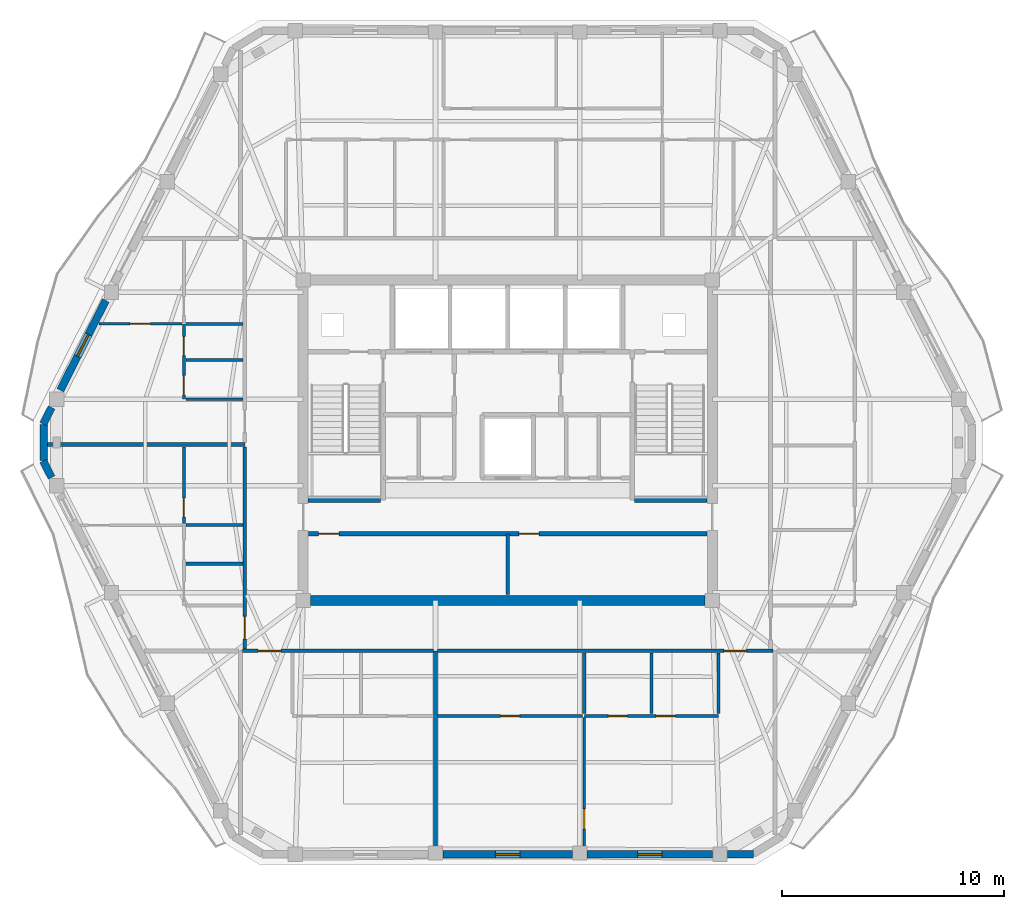
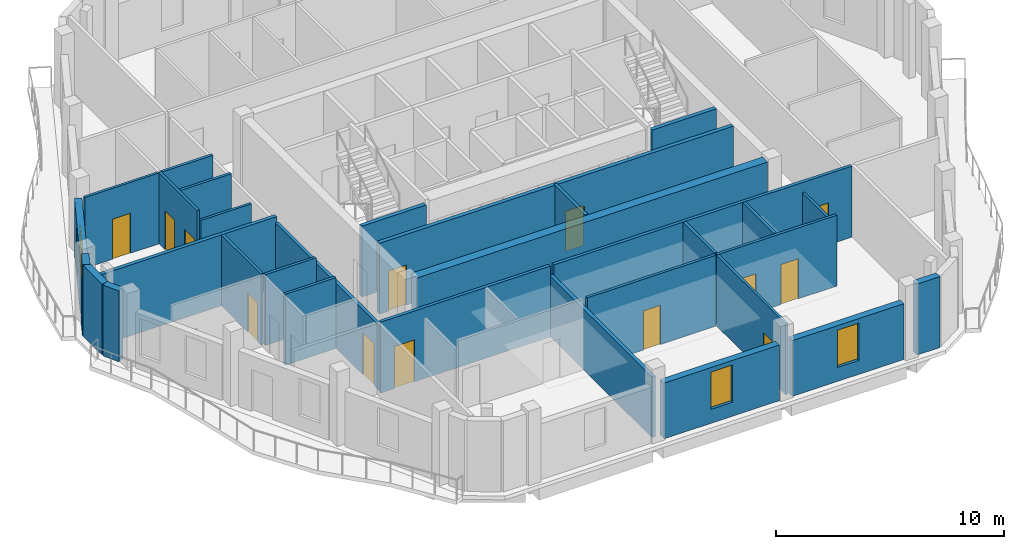
# One storey, part 4 of 11: 31 walls, 13 doors, 3 windows, 16 openings.
"""IFC4 building model written with IfcOpenShell, lengths in metres."""

from ifc_helpers import new_model, si_unit, direction, frame, frame_2d, origin, place, context, subcontext, project, spatial, rectangle, extrude, material, layer, layer_set, type_object, element, fill, save


model = new_model("IFC4")

# Units and contexts
model_context = context("Model", 3, precision=1e-05, world=origin(), true_north=direction((0.0, 1.0)))
body_context = subcontext(model_context, "Body", "Model", "MODEL_VIEW")
ifc_project = project(units=[si_unit("LENGTHUNIT", "METRE"), si_unit("AREAUNIT", "SQUARE_METRE"), si_unit("VOLUMEUNIT", "CUBIC_METRE"), si_unit("PLANEANGLEUNIT", "RADIAN"), si_unit("MASSUNIT", "GRAM", prefix="KILO")], contexts=[model_context])

# Site, building, storey
site_placement = place(None, origin())
site = spatial("IfcSite", under=ifc_project, at=site_placement, CompositionType="ELEMENT")
building_placement = place(site_placement, origin())
building = spatial("IfcBuilding", under=site, at=building_placement, Name="Cinnabar Lancet Tower", CompositionType="ELEMENT")
storey_placement = place(building_placement, frame((0.0, 0.0, 283.5)))
storey = spatial("IfcBuildingStorey", under=building, at=storey_placement, Name="L75", CompositionType="ELEMENT", Elevation=283.5)

# Wall
ifc_material_1 = material(Name="Acoustic twin-stud gypsum partition", Category="gypsum")
ifc_layer_1 = layer(ifc_material_1, 0.159912109375)
ifc_layer_set_1 = layer_set([ifc_layer_1], Name="Acoustic twin-stud gypsum partition")
wall_type_1 = type_object("IfcWallType", Name="ARC-WL-CORR-160", PredefinedType="PARTITIONING", material=ifc_layer_set_1)
wall_1_placement = place(storey_placement, frame((32.39990234375, 18.949951171875, 0.0), z_axis=(0.0, 0.0, 1.0), x_axis=(0.0, 1.0, 0.0)))
element("IfcWall", 1, at=wall_1_placement, inside=storey, type_object=wall_type_1, Name="CW-SB-3240-L75", PredefinedType="PARTITIONING", context=body_context, shape_type="SweptSolid", body=[
    extrude(rectangle(XDim=2.72998046875, YDim=0.159912109375, at=frame_2d((1.364990234375, 0.0))), origin(), (0.0, 0.0, 1.0), 3.800048828125),
])

# Wall, opening, door
wall_2_placement = place(storey_placement, frame((20.445068359375, 16.39990234375, 0.0), z_axis=(0.0, 0.0, 1.0), x_axis=(1.0, 0.0, 0.0)))
wall_2 = element("IfcWall", 2, at=wall_2_placement, inside=storey, type_object=wall_type_1, Name="L75 Unit S01 Corridor Wall", PredefinedType="PARTITIONING", context=body_context, shape_type="SweptSolid", body=[
    extrude(rectangle(XDim=8.60595703125, YDim=0.159912109375, at=frame_2d((4.302978515625, 0.0))), origin(), (0.0, 0.0, 1.0), 3.800048828125),
])
opening_1_placement = place(wall_2_placement, frame((0.705078125, 0.0, 0.0)))
opening_1 = element("IfcOpeningElement", 3, at=opening_1_placement, cuts=wall_2, Name="Opening UD-01", PredefinedType="OPENING", context=body_context, shape_type="SweptSolid", body=[
    extrude(rectangle(XDim=1.02001953125, YDim=2.25, at=frame_2d((0.510009765625, 1.125))), frame((0.0, 0.08984375, 0.0), z_axis=(0.0, -1.0, 0.0), x_axis=(1.0, 0.0, 0.0)), (0.0, 0.0, 1.0), 0.179931640625),
])
ifc_material_2 = material(Name="Solid timber fire-rated apartment entrance door", Category="wood")
door_type_1 = type_object("IfcDoorType", Name="ARC-DR-UNIT", OperationType="NOTDEFINED", PredefinedType="DOOR", material=ifc_material_2)
door_1_placement = place(opening_1_placement, origin())
door_1 = element("IfcDoor", 4, at=door_1_placement, inside=storey, type_object=door_type_1, Name="DR-L75-S01-ENT", OperationType="SINGLE_SWING_LEFT", OverallHeight=2.25, OverallWidth=1.02001953125, PredefinedType="DOOR", context=body_context, shape_type="SweptSolid", body=[
    extrude(rectangle(XDim=1.02001953125, YDim=2.25, at=frame_2d((0.510009765625, 1.125))), frame((0.0, 0.02490234375, 0.0), z_axis=(0.0, -1.0, 0.0), x_axis=(1.0, 0.0, 0.0)), (0.0, 0.0, 1.0), 0.050048828125),
])
fill(opening_1, door_1)

wall_3_placement = place(storey_placement, frame((29.240966796875, 16.39990234375, 0.0), z_axis=(0.0, 0.0, 1.0), x_axis=(1.0, 0.0, 0.0)))
wall_3 = element("IfcWall", 5, at=wall_3_placement, inside=storey, type_object=wall_type_1, Name="L75 Unit S02 Corridor Wall", PredefinedType="PARTITIONING", context=body_context, shape_type="SweptSolid", body=[
    extrude(rectangle(XDim=15.114013671875, YDim=0.159912109375, at=frame_2d((7.55712890625, 0.0))), origin(), (0.0, 0.0, 1.0), 3.800048828125),
])
opening_2_placement = place(wall_3_placement, frame((12.908935546875, 0.0, 0.0)))
opening_2 = element("IfcOpeningElement", 6, at=opening_2_placement, cuts=wall_3, Name="Opening UD-01", PredefinedType="OPENING", context=body_context, shape_type="SweptSolid", body=[
    extrude(rectangle(XDim=1.02001953125, YDim=2.25, at=frame_2d((0.510009765625, 1.125))), frame((0.0, 0.08984375, 0.0), z_axis=(0.0, -1.0, 0.0), x_axis=(1.0, 0.0, 0.0)), (0.0, 0.0, 1.0), 0.179931640625),
])
door_2_placement = place(opening_2_placement, origin())
door_2 = element("IfcDoor", 7, at=door_2_placement, inside=storey, type_object=door_type_1, Name="DR-L75-S02-ENT", OperationType="SINGLE_SWING_RIGHT", OverallHeight=2.25, OverallWidth=1.02001953125, PredefinedType="DOOR", context=body_context, shape_type="SweptSolid", body=[
    extrude(rectangle(XDim=1.02001953125, YDim=2.25, at=frame_2d((0.510009765625, 1.125))), frame((0.0, 0.02490234375, 0.0), z_axis=(0.0, -1.0, 0.0), x_axis=(1.0, 0.0, 0.0)), (0.0, 0.0, 1.0), 0.050048828125),
])
fill(opening_2, door_2)

wall_4_placement = place(storey_placement, frame((20.550048828125, 16.4951171875, 0.0), z_axis=(0.0, 0.0, 1.0), x_axis=(0.0, 1.0, 0.0)))
wall_4 = element("IfcWall", 8, at=wall_4_placement, inside=storey, type_object=wall_type_1, Name="UW-L75-W01-COR", PredefinedType="PARTITIONING", context=body_context, shape_type="SweptSolid", body=[
    extrude(rectangle(XDim=9.10986328125, YDim=0.159912109375, at=frame_2d((4.554931640625, 0.0))), origin(), (0.0, 0.0, 1.0), 3.487060546875),
])
opening_3_placement = place(wall_4_placement, frame((0.449951171875, 0.0, 0.0)))
opening_3 = element("IfcOpeningElement", 9, at=opening_3_placement, cuts=wall_4, Name="Opening UD-01", PredefinedType="OPENING", context=body_context, shape_type="SweptSolid", body=[
    extrude(rectangle(XDim=1.02001953125, YDim=2.25, at=frame_2d((0.510009765625, 1.125))), frame((0.0, 0.08984375, 0.0), z_axis=(0.0, -1.0, 0.0), x_axis=(1.0, 0.0, 0.0)), (0.0, 0.0, 1.0), 0.179931640625),
])
door_3_placement = place(opening_3_placement, origin())
door_3 = element("IfcDoor", 10, at=door_3_placement, inside=storey, type_object=door_type_1, Name="DR-L75-W01-ENT", OperationType="SINGLE_SWING_LEFT", OverallHeight=2.25, OverallWidth=1.02001953125, PredefinedType="DOOR", context=body_context, shape_type="SweptSolid", body=[
    extrude(rectangle(XDim=1.02001953125, YDim=2.25, at=frame_2d((0.510009765625, 1.125))), frame((0.0, 0.02490234375, 0.0), z_axis=(0.0, -1.0, 0.0), x_axis=(1.0, 0.0, 0.0)), (0.0, 0.0, 1.0), 0.050048828125),
])
fill(opening_3, door_3)

# Walls
ifc_material_3 = material(Name="Fire-rated twin-frame acoustic drywall", Category="gypsum")
ifc_layer_2 = layer(ifc_material_3, 0.179931640625)
ifc_layer_set_2 = layer_set([ifc_layer_2], Name="Fire-rated twin-frame acoustic drywall")
wall_type_2 = type_object("IfcWallType", Name="ARC-WL-PARTY-180", PredefinedType="PARTITIONING", material=ifc_layer_set_2)
wall_5_placement = place(storey_placement, frame((29.14599609375, 7.405029296875, 0.0), z_axis=(0.0, 0.0, 1.0), x_axis=(0.0, 1.0, 0.0)))
element("IfcWall", 11, at=wall_5_placement, inside=storey, type_object=wall_type_2, Name="PW-L75-SPTY-291", PredefinedType="PARTITIONING", context=body_context, shape_type="SweptSolid", body=[
    extrude(rectangle(XDim=8.994873046875, YDim=0.179931640625, at=frame_2d((4.49755859375, 0.0))), origin(), (0.0, 0.0, 1.0), 3.257080078125),
])
wall_6_placement = place(storey_placement, frame((11.652099609375, 25.699951171875, 0.0), z_axis=(0.0, 0.0, 1.0), x_axis=(1.0, 0.0, 0.0)))
element("IfcWall", 12, at=wall_6_placement, inside=storey, type_object=wall_type_2, Name="PW-L75-WPTY-1", PredefinedType="PARTITIONING", context=body_context, shape_type="SweptSolid", body=[
    extrude(rectangle(XDim=8.89794921875, YDim=0.179931640625, at=frame_2d((4.448974609375, 0.0))), origin(), (0.0, 0.0, 1.0), 3.800048828125),
])
ifc_material_4 = material(Name="Autoclaved aerated concrete blockwork", Category="masonry")
ifc_layer_3 = layer(ifc_material_4, 0.199951171875)
ifc_layer_set_3 = layer_set([ifc_layer_3], Name="Autoclaved aerated concrete blockwork")
wall_type_3 = type_object("IfcWallType", Name="ARC-WL-SHAFT-200", PredefinedType="PLUMBINGWALL", material=ifc_layer_set_3)
for number, where, z_axis, x_axis, name in (
    (13, (23.405029296875, 23.199951171875, 0.0), (0.0, 0.0, 1.0), (1.0, 0.0, 0.0), "CW-ST1S-L75"),
    (14, (38.125, 23.199951171875, 0.0), (0.0, 0.0, 1.0), (1.0, 0.0, 0.0), "CW-ST2S-L75"),
):
    element("IfcWall", number, at=place(storey_placement, frame(where, z_axis=z_axis, x_axis=x_axis)), inside=storey, type_object=wall_type_3, Name=name, PredefinedType="PLUMBINGWALL", context=body_context, shape_type="SweptSolid", body=[
        extrude(rectangle(XDim=3.27001953125, YDim=0.199951171875, at=frame_2d((1.635009765625, 0.0))), origin(), (0.0, 0.0, 1.0), 3.800048828125),
    ])

# Wall, openings, doors
wall_7_placement = place(storey_placement, frame((23.419921875, 21.679931640625, 0.0), z_axis=(0.0, 0.0, 1.0), x_axis=(1.0, 0.0, 0.0)))
wall_7 = element("IfcWall", 15, at=wall_7_placement, inside=storey, type_object=wall_type_3, Name="CW-SBANDN-L75", PredefinedType="PLUMBINGWALL", context=body_context, shape_type="SweptSolid", body=[
    extrude(rectangle(XDim=17.9599609375, YDim=0.199951171875, at=frame_2d((8.97998046875, 0.0))), origin(), (0.0, 0.0, 1.0), 3.800048828125),
])
opening_4_placement = place(wall_7_placement, frame((0.4599609375, 0.0, 0.0)))
opening_4 = element("IfcOpeningElement", 16, at=opening_4_placement, cuts=wall_7, Name="Opening RD-01", PredefinedType="OPENING", context=body_context, shape_type="SweptSolid", body=[
    extrude(rectangle(XDim=0.919921875, YDim=2.14990234375, at=frame_2d((0.4599609375, 1.074951171875))), frame((0.0, 0.10986328125, 0.0), z_axis=(0.0, -1.0, 0.0), x_axis=(1.0, 0.0, 0.0)), (0.0, 0.0, 1.0), 0.219970703125),
])
opening_5_placement = place(wall_7_placement, frame((9.47998046875, 0.0, 0.0)))
opening_5 = element("IfcOpeningElement", 17, at=opening_5_placement, cuts=wall_7, Name="Opening RD-01", PredefinedType="OPENING", context=body_context, shape_type="SweptSolid", body=[
    extrude(rectangle(XDim=0.919921875, YDim=2.14990234375, at=frame_2d((0.4599609375, 1.074951171875))), frame((0.0, 0.10986328125, 0.0), z_axis=(0.0, -1.0, 0.0), x_axis=(1.0, 0.0, 0.0)), (0.0, 0.0, 1.0), 0.219970703125),
])
ifc_material_5 = material(Name="Engineered timber bedroom door", Category="wood")
door_type_2 = type_object("IfcDoorType", Name="ARC-DR-ROOM", OperationType="NOTDEFINED", PredefinedType="DOOR", material=ifc_material_5)
door_4_placement = place(opening_4_placement, origin())
door_4 = element("IfcDoor", 18, at=door_4_placement, inside=storey, type_object=door_type_2, Name="DR-L75-HREC1", OperationType="SINGLE_SWING_LEFT", OverallHeight=2.14990234375, OverallWidth=0.919921875, PredefinedType="DOOR", context=body_context, shape_type="SweptSolid", body=[
    extrude(rectangle(XDim=0.919921875, YDim=2.14990234375, at=frame_2d((0.4599609375, 1.074951171875))), frame((0.0, 0.02490234375, 0.0), z_axis=(0.0, -1.0, 0.0), x_axis=(1.0, 0.0, 0.0)), (0.0, 0.0, 1.0), 0.050048828125),
])
fill(opening_4, door_4)
door_5_placement = place(opening_5_placement, origin())
door_5 = element("IfcDoor", 19, at=door_5_placement, inside=storey, type_object=door_type_2, Name="DR-L75-HREC2", OperationType="SINGLE_SWING_RIGHT", OverallHeight=2.14990234375, OverallWidth=0.919921875, PredefinedType="DOOR", context=body_context, shape_type="SweptSolid", body=[
    extrude(rectangle(XDim=0.919921875, YDim=2.14990234375, at=frame_2d((0.4599609375, 1.074951171875))), frame((0.0, 0.02490234375, 0.0), z_axis=(0.0, -1.0, 0.0), x_axis=(1.0, 0.0, 0.0)), (0.0, 0.0, 1.0), 0.050048828125),
])
fill(opening_5, door_5)

# Wall
ifc_material_6 = material(Name="Gypsum plasterboard stud partition", Category="gypsum")
ifc_layer_4 = layer(ifc_material_6, 0.125)
ifc_layer_set_4 = layer_set([ifc_layer_4], Name="Gypsum plasterboard stud partition")
wall_type_4 = type_object("IfcWallType", Name="ARC-WL-UNIT-125", PredefinedType="PARTITIONING", material=ifc_layer_set_4)
wall_8_placement = place(storey_placement, frame((41.89990234375, 13.573974609375, 0.0), z_axis=(0.0, 0.0, 1.0), x_axis=(0.0, 1.0, 0.0)))
element("IfcWall", 20, at=wall_8_placement, inside=storey, type_object=wall_type_4, Name="UW-L75-S02-FOYW", PredefinedType="PARTITIONING", context=body_context, shape_type="SweptSolid", body=[
    extrude(rectangle(XDim=2.740966796875, YDim=0.125, at=frame_2d((1.37060546875, 0.0))), origin(), (0.0, 0.0, 1.0), 3.257080078125),
])

# Wall, opening, door
wall_9_placement = place(storey_placement, frame((35.85302734375, 7.31494140625, 0.0), z_axis=(0.0, 0.0, 1.0), x_axis=(0.0, 1.0, 0.0)))
wall_9 = element("IfcWall", 21, at=wall_9_placement, inside=storey, type_object=wall_type_4, Name="UW-L75-S02-MBW", PredefinedType="PARTITIONING", context=body_context, shape_type="SweptSolid", body=[
    extrude(rectangle(XDim=6.0791015625, YDim=0.125, at=frame_2d((3.03955078125, 0.0))), origin(), (0.0, 0.0, 1.0), 3.800048828125),
])
opening_6_placement = place(wall_9_placement, frame((1.050048828125, 0.0, 0.0)))
opening_6 = element("IfcOpeningElement", 22, at=opening_6_placement, cuts=wall_9, Name="Opening RD-01", PredefinedType="OPENING", context=body_context, shape_type="SweptSolid", body=[
    extrude(rectangle(XDim=0.919921875, YDim=2.14990234375, at=frame_2d((0.4599609375, 1.074951171875))), frame((0.0, 0.072509765625, 0.0), z_axis=(0.0, -1.0, 0.0), x_axis=(1.0, 0.0, 0.0)), (0.0, 0.0, 1.0), 0.14501953125),
])
door_6_placement = place(opening_6_placement, origin())
door_6 = element("IfcDoor", 23, at=door_6_placement, inside=storey, type_object=door_type_2, Name="DR-L75-S02-MBD", OperationType="SINGLE_SWING_LEFT", OverallHeight=2.14990234375, OverallWidth=0.919921875, PredefinedType="DOOR", context=body_context, shape_type="SweptSolid", body=[
    extrude(rectangle(XDim=0.919921875, YDim=2.14990234375, at=frame_2d((0.4599609375, 1.074951171875))), frame((0.0, 0.02490234375, 0.0), z_axis=(0.0, -1.0, 0.0), x_axis=(1.0, 0.0, 0.0)), (0.0, 0.0, 1.0), 0.050048828125),
])
fill(opening_6, door_6)

# Wall
wall_10_placement = place(storey_placement, frame((17.885009765625, 27.75, 0.0), z_axis=(0.0, 0.0, 1.0), x_axis=(1.0, 0.0, 0.0)))
element("IfcWall", 24, at=wall_10_placement, inside=storey, type_object=wall_type_4, Name="UW-L75-W02-FOYN", PredefinedType="PARTITIONING", context=body_context, shape_type="SweptSolid", body=[
    extrude(rectangle(XDim=2.580078125, YDim=0.125, at=frame_2d((1.2900390625, 0.0))), origin(), (0.0, 0.0, 1.0), 3.257080078125),
])

# Wall, opening, door
wall_11_placement = place(storey_placement, frame((13.969970703125, 31.14990234375, 0.0), z_axis=(0.0, 0.0, 1.0), x_axis=(1.0, 0.0, 0.0)))
wall_11 = element("IfcWall", 25, at=wall_11_placement, inside=storey, type_object=wall_type_4, Name="UW-L75-W02-MBN", PredefinedType="PARTITIONING", context=body_context, shape_type="SweptSolid", body=[
    extrude(rectangle(XDim=3.755126953125, YDim=0.125, at=frame_2d((1.87744140625, 0.0))), origin(), (0.0, 0.0, 1.0), 3.800048828125),
])
opening_7_placement = place(wall_11_placement, frame((1.39990234375, 0.0, 0.0)))
opening_7 = element("IfcOpeningElement", 26, at=opening_7_placement, cuts=wall_11, Name="Opening RD-01", PredefinedType="OPENING", context=body_context, shape_type="SweptSolid", body=[
    extrude(rectangle(XDim=0.919921875, YDim=2.14990234375, at=frame_2d((0.4599609375, 1.074951171875))), frame((0.0, 0.072509765625, 0.0), z_axis=(0.0, -1.0, 0.0), x_axis=(1.0, 0.0, 0.0)), (0.0, 0.0, 1.0), 0.14501953125),
])
door_7_placement = place(opening_7_placement, origin())
door_7 = element("IfcDoor", 27, at=door_7_placement, inside=storey, type_object=door_type_2, Name="DR-L75-W02-MBD", OperationType="SINGLE_SWING_RIGHT", OverallHeight=2.14990234375, OverallWidth=0.919921875, PredefinedType="DOOR", context=body_context, shape_type="SweptSolid", body=[
    extrude(rectangle(XDim=0.919921875, YDim=2.14990234375, at=frame_2d((0.4599609375, 1.074951171875))), frame((0.0, 0.02490234375, 0.0), z_axis=(0.0, -1.0, 0.0), x_axis=(1.0, 0.0, 0.0)), (0.0, 0.0, 1.0), 0.050048828125),
])
fill(opening_7, door_7)

# Wall, openings, doors
ifc_material_7 = material(Name="Moisture-resistant cement-board plumbing wall", Category="masonry")
ifc_layer_5 = layer(ifc_material_7, 0.139892578125)
ifc_layer_set_5 = layer_set([ifc_layer_5], Name="Moisture-resistant cement-board plumbing wall")
wall_type_5 = type_object("IfcWallType", Name="ARC-WL-WET-140", PredefinedType="PLUMBINGWALL", material=ifc_layer_set_5)
wall_12_placement = place(storey_placement, frame((35.85302734375, 13.468994140625, 0.0), z_axis=(0.0, 0.0, 1.0), x_axis=(1.0, 0.0, 0.0)))
wall_12 = element("IfcWall", 28, at=wall_12_placement, inside=storey, type_object=wall_type_5, Name="UW-L75-S02-SPL", PredefinedType="PLUMBINGWALL", context=body_context, shape_type="SweptSolid", body=[
    extrude(rectangle(XDim=6.046875, YDim=0.139892578125, at=frame_2d((3.0234375, 0.0))), origin(), (0.0, 0.0, 1.0), 3.800048828125),
])
opening_8_placement = place(wall_12_placement, frame((1.0869140625, 0.0, 0.0)))
opening_8 = element("IfcOpeningElement", 29, at=opening_8_placement, cuts=wall_12, Name="Opening BD-01", PredefinedType="OPENING", context=body_context, shape_type="SweptSolid", body=[
    extrude(rectangle(XDim=0.860107421875, YDim=2.10009765625, at=frame_2d((0.43017578125, 1.050048828125))), frame((0.0, 0.079833984375, 0.0), z_axis=(0.0, -1.0, 0.0), x_axis=(1.0, 0.0, 0.0)), (0.0, 0.0, 1.0), 0.159912109375),
])
opening_9_placement = place(wall_12_placement, frame((3.22412109375, 0.0, 0.0)))
opening_9 = element("IfcOpeningElement", 30, at=opening_9_placement, cuts=wall_12, Name="Opening RD-02", PredefinedType="OPENING", context=body_context, shape_type="SweptSolid", body=[
    extrude(rectangle(XDim=0.8798828125, YDim=2.14990234375, at=frame_2d((0.43994140625, 1.074951171875))), frame((0.0, 0.079833984375, 0.0), z_axis=(0.0, -1.0, 0.0), x_axis=(1.0, 0.0, 0.0)), (0.0, 0.0, 1.0), 0.159912109375),
])
ifc_material_8 = material(Name="Moisture-resistant timber bathroom door", Category="wood")
door_type_3 = type_object("IfcDoorType", Name="ARC-DR-BATH", OperationType="NOTDEFINED", PredefinedType="DOOR", material=ifc_material_8)
door_8_placement = place(opening_8_placement, origin())
door_8 = element("IfcDoor", 31, at=door_8_placement, inside=storey, type_object=door_type_3, Name="DR-L75-S02-BTH", OperationType="SINGLE_SWING_LEFT", OverallHeight=2.10009765625, OverallWidth=0.860107421875, PredefinedType="DOOR", context=body_context, shape_type="SweptSolid", body=[
    extrude(rectangle(XDim=0.860107421875, YDim=2.10009765625, at=frame_2d((0.43017578125, 1.050048828125))), frame((0.0, 0.02490234375, 0.0), z_axis=(0.0, -1.0, 0.0), x_axis=(1.0, 0.0, 0.0)), (0.0, 0.0, 1.0), 0.050048828125),
])
fill(opening_8, door_8)
ifc_material_9 = material(Name="Engineered timber study door", Category="wood")
door_type_4 = type_object("IfcDoorType", Name="ARC-DR-STUDY", OperationType="NOTDEFINED", PredefinedType="DOOR", material=ifc_material_9)
door_9_placement = place(opening_9_placement, origin())
door_9 = element("IfcDoor", 32, at=door_9_placement, inside=storey, type_object=door_type_4, Name="DR-L75-S02-KIT", OperationType="SINGLE_SWING_RIGHT", OverallHeight=2.14990234375, OverallWidth=0.8798828125, PredefinedType="DOOR", context=body_context, shape_type="SweptSolid", body=[
    extrude(rectangle(XDim=0.8798828125, YDim=2.14990234375, at=frame_2d((0.43994140625, 1.074951171875))), frame((0.0, 0.02490234375, 0.0), z_axis=(0.0, -1.0, 0.0), x_axis=(1.0, 0.0, 0.0)), (0.0, 0.0, 1.0), 0.050048828125),
])
fill(opening_9, door_9)

# Wall, opening, door
wall_13_placement = place(storey_placement, frame((29.240966796875, 13.468994140625, 0.0), z_axis=(0.0, 0.0, 1.0), x_axis=(1.0, 0.0, 0.0)))
wall_13 = element("IfcWall", 33, at=wall_13_placement, inside=storey, type_object=wall_type_5, Name="UW-L75-S02-SPM", PredefinedType="PLUMBINGWALL", context=body_context, shape_type="SweptSolid", body=[
    extrude(rectangle(XDim=6.537109375, YDim=0.139892578125, at=frame_2d((3.2685546875, 0.0))), origin(), (0.0, 0.0, 1.0), 3.800048828125),
])
opening_10_placement = place(wall_13_placement, frame((2.843017578125, 0.0, 0.0)))
opening_10 = element("IfcOpeningElement", 34, at=opening_10_placement, cuts=wall_13, Name="Opening BD-01", PredefinedType="OPENING", context=body_context, shape_type="SweptSolid", body=[
    extrude(rectangle(XDim=0.860107421875, YDim=2.10009765625, at=frame_2d((0.43017578125, 1.050048828125))), frame((0.0, 0.079833984375, 0.0), z_axis=(0.0, -1.0, 0.0), x_axis=(1.0, 0.0, 0.0)), (0.0, 0.0, 1.0), 0.159912109375),
])
door_10_placement = place(opening_10_placement, origin())
door_10 = element("IfcDoor", 35, at=door_10_placement, inside=storey, type_object=door_type_3, Name="DR-L75-S02-ENS", OperationType="SINGLE_SWING_RIGHT", OverallHeight=2.10009765625, OverallWidth=0.860107421875, PredefinedType="DOOR", context=body_context, shape_type="SweptSolid", body=[
    extrude(rectangle(XDim=0.860107421875, YDim=2.10009765625, at=frame_2d((0.43017578125, 1.050048828125))), frame((0.0, 0.02490234375, 0.0), z_axis=(0.0, -1.0, 0.0), x_axis=(1.0, 0.0, 0.0)), (0.0, 0.0, 1.0), 0.050048828125),
])
fill(opening_10, door_10)

# Walls
for number, where, z_axis, x_axis, name in (
    (36, (38.876953125, 13.573974609375, 0.0), (0.0, 0.0, 1.0), (0.0, 1.0, 0.0), "UW-L75-S02-KBD"),
    (37, (35.85302734375, 13.573974609375, 0.0), (0.0, 0.0, 1.0), (0.0, 1.0, 0.0), "UW-L75-S02-ENSW"),
):
    element("IfcWall", number, at=place(storey_placement, frame(where, z_axis=z_axis, x_axis=x_axis)), inside=storey, type_object=wall_type_5, Name=name, PredefinedType="PLUMBINGWALL", context=body_context, shape_type="SweptSolid", body=[
        extrude(rectangle(XDim=2.740966796875, YDim=0.139892578125, at=frame_2d((1.37060546875, 0.0))), origin(), (0.0, 0.0, 1.0), 3.800048828125),
    ])

# Wall, opening, door
wall_14_placement = place(storey_placement, frame((17.800048828125, 22.14306640625, 0.0), z_axis=(0.0, 0.0, 1.0), x_axis=(0.0, 1.0, 0.0)))
wall_14 = element("IfcWall", 38, at=wall_14_placement, inside=storey, type_object=wall_type_5, Name="UW-L75-W01-SPM", PredefinedType="PLUMBINGWALL", context=body_context, shape_type="SweptSolid", body=[
    extrude(rectangle(XDim=3.4619140625, YDim=0.139892578125, at=frame_2d((1.73095703125, 0.0))), origin(), (0.0, 0.0, 1.0), 3.800048828125),
])
opening_11_placement = place(wall_14_placement, frame((0.300048828125, 0.0, 0.0)))
opening_11 = element("IfcOpeningElement", 39, at=opening_11_placement, cuts=wall_14, Name="Opening BD-01", PredefinedType="OPENING", context=body_context, shape_type="SweptSolid", body=[
    extrude(rectangle(XDim=0.860107421875, YDim=2.10009765625, at=frame_2d((0.43017578125, 1.050048828125))), frame((0.0, 0.079833984375, 0.0), z_axis=(0.0, -1.0, 0.0), x_axis=(1.0, 0.0, 0.0)), (0.0, 0.0, 1.0), 0.159912109375),
])
door_11_placement = place(opening_11_placement, origin())
door_11 = element("IfcDoor", 40, at=door_11_placement, inside=storey, type_object=door_type_3, Name="DR-L75-W01-ENS", OperationType="SINGLE_SWING_LEFT", OverallHeight=2.10009765625, OverallWidth=0.860107421875, PredefinedType="DOOR", context=body_context, shape_type="SweptSolid", body=[
    extrude(rectangle(XDim=0.860107421875, YDim=2.10009765625, at=frame_2d((0.43017578125, 1.050048828125))), frame((0.0, 0.02490234375, 0.0), z_axis=(0.0, -1.0, 0.0), x_axis=(1.0, 0.0, 0.0)), (0.0, 0.0, 1.0), 0.050048828125),
])
fill(opening_11, door_11)

# Walls
for number, where, z_axis, x_axis, name in (
    (41, (17.885009765625, 22.072998046875, 0.0), (0.0, 0.0, 1.0), (1.0, 0.0, 0.0), "UW-L75-W01-ENSN"),
    (42, (17.885009765625, 20.333984375, 0.0), (0.0, 0.0, 1.0), (1.0, 0.0, 0.0), "UW-L75-W01-KDV"),
):
    element("IfcWall", number, at=place(storey_placement, frame(where, z_axis=z_axis, x_axis=x_axis)), inside=storey, type_object=wall_type_5, Name=name, PredefinedType="PLUMBINGWALL", context=body_context, shape_type="SweptSolid", body=[
        extrude(rectangle(XDim=2.580078125, YDim=0.139892578125, at=frame_2d((1.2900390625, 0.0))), origin(), (0.0, 0.0, 1.0), 3.800048828125),
    ])

# Wall, openings, doors
wall_15_placement = place(storey_placement, frame((17.800048828125, 27.75, 0.0), z_axis=(0.0, 0.0, 1.0), x_axis=(0.0, 1.0, 0.0)))
wall_15 = element("IfcWall", 43, at=wall_15_placement, inside=storey, type_object=wall_type_5, Name="UW-L75-W02-SPL", PredefinedType="PLUMBINGWALL", context=body_context, shape_type="SweptSolid", body=[
    extrude(rectangle(XDim=3.39990234375, YDim=0.139892578125, at=frame_2d((1.699951171875, 0.0))), origin(), (0.0, 0.0, 1.0), 3.800048828125),
])
opening_12_placement = place(wall_15_placement, frame((0.199951171875, 0.0, 0.0)))
opening_12 = element("IfcOpeningElement", 44, at=opening_12_placement, cuts=wall_15, Name="Opening RD-02", PredefinedType="OPENING", context=body_context, shape_type="SweptSolid", body=[
    extrude(rectangle(XDim=0.8798828125, YDim=2.14990234375, at=frame_2d((0.43994140625, 1.074951171875))), frame((0.0, 0.079833984375, 0.0), z_axis=(0.0, -1.0, 0.0), x_axis=(1.0, 0.0, 0.0)), (0.0, 0.0, 1.0), 0.159912109375),
])
opening_13_placement = place(wall_15_placement, frame((1.968017578125, 0.0, 0.0)))
opening_13 = element("IfcOpeningElement", 45, at=opening_13_placement, cuts=wall_15, Name="Opening BD-01", PredefinedType="OPENING", context=body_context, shape_type="SweptSolid", body=[
    extrude(rectangle(XDim=0.860107421875, YDim=2.10009765625, at=frame_2d((0.43017578125, 1.050048828125))), frame((0.0, 0.079833984375, 0.0), z_axis=(0.0, -1.0, 0.0), x_axis=(1.0, 0.0, 0.0)), (0.0, 0.0, 1.0), 0.159912109375),
])
door_12_placement = place(opening_13_placement, origin())
door_12 = element("IfcDoor", 46, at=door_12_placement, inside=storey, type_object=door_type_3, Name="DR-L75-W02-BTH", OperationType="SINGLE_SWING_RIGHT", OverallHeight=2.10009765625, OverallWidth=0.860107421875, PredefinedType="DOOR", context=body_context, shape_type="SweptSolid", body=[
    extrude(rectangle(XDim=0.860107421875, YDim=2.10009765625, at=frame_2d((0.43017578125, 1.050048828125))), frame((0.0, 0.02490234375, 0.0), z_axis=(0.0, -1.0, 0.0), x_axis=(1.0, 0.0, 0.0)), (0.0, 0.0, 1.0), 0.050048828125),
])
fill(opening_13, door_12)
door_13_placement = place(opening_12_placement, origin())
door_13 = element("IfcDoor", 47, at=door_13_placement, inside=storey, type_object=door_type_4, Name="DR-L75-W02-KIT", OperationType="SINGLE_SWING_LEFT", OverallHeight=2.14990234375, OverallWidth=0.8798828125, PredefinedType="DOOR", context=body_context, shape_type="SweptSolid", body=[
    extrude(rectangle(XDim=0.8798828125, YDim=2.14990234375, at=frame_2d((0.43994140625, 1.074951171875))), frame((0.0, 0.02490234375, 0.0), z_axis=(0.0, -1.0, 0.0), x_axis=(1.0, 0.0, 0.0)), (0.0, 0.0, 1.0), 0.050048828125),
])
fill(opening_12, door_13)

# Walls
for number, where, z_axis, x_axis, name in (
    (48, (17.885009765625, 31.14990234375, 0.0), (0.0, 0.0, 1.0), (1.0, 0.0, 0.0), "UW-L75-W02-ENSN"),
    (49, (17.885009765625, 29.51806640625, 0.0), (0.0, 0.0, 1.0), (1.0, 0.0, 0.0), "UW-L75-W02-KDV"),
):
    element("IfcWall", number, at=place(storey_placement, frame(where, z_axis=z_axis, x_axis=x_axis)), inside=storey, type_object=wall_type_5, Name=name, PredefinedType="PLUMBINGWALL", context=body_context, shape_type="SweptSolid", body=[
        extrude(rectangle(XDim=2.580078125, YDim=0.139892578125, at=frame_2d((1.2900390625, 0.0))), origin(), (0.0, 0.0, 1.0), 3.800048828125),
    ])
ifc_material_10 = material(Name="Cinnabar red clay brick", Category="masonry")
ifc_layer_6 = layer(ifc_material_10, 0.340087890625)
ifc_layer_set_6 = layer_set([ifc_layer_6], Name="Cinnabar red clay brick")
wall_type_6 = type_object("IfcWallType", Name="ENV-WL-BRK-RED-340", PredefinedType="STANDARD", material=ifc_layer_set_6)
wall_16_placement = place(storey_placement, frame((11.47705078125, 26.6201171875, 0.0), z_axis=(0.0, 0.0, 1.0), x_axis=(0.0, -1.0, 0.0)))
element("IfcWall", 50, at=wall_16_placement, inside=storey, type_object=wall_type_6, Name="L75 Chamfered Corner Brick Pier 6.1", PredefinedType="STANDARD", context=body_context, shape_type="SweptSolid", body=[
    extrude(rectangle(XDim=1.64013671875, YDim=0.340087890625, at=frame_2d((0.820068359375, 0.0))), origin(), (0.0, 0.0, 1.0), 3.800048828125),
])

# Wall, opening, window
wall_17_placement = place(storey_placement, frame((29.47509765625, 7.22998046875, 0.0), z_axis=(0.0, 0.0, 1.0), x_axis=(1.0, 0.0, 0.0)))
wall_17 = element("IfcWall", 51, at=wall_17_placement, inside=storey, type_object=wall_type_6, Name="L75 Face 1 Masonry Bay Wall 3", PredefinedType="STANDARD", context=body_context, shape_type="SweptSolid", body=[
    extrude(rectangle(XDim=5.849853515625, YDim=0.340087890625, at=frame_2d((2.9248046875, 0.0))), origin(), (0.0, 0.0, 1.0), 2.989990234375),
])
opening_14_placement = place(wall_17_placement, frame((2.375, 0.0, 0.75)))
opening_14 = element("IfcOpeningElement", 52, at=opening_14_placement, cuts=wall_17, Name="Opening WN-04", PredefinedType="OPENING", context=body_context, shape_type="SweptSolid", body=[
    extrude(rectangle(XDim=1.10009765625, YDim=2.0, at=frame_2d((0.550048828125, 1.0))), frame((0.0, 0.179931640625, 0.0), z_axis=(0.0, -1.0, 0.0), x_axis=(1.0, 0.0, 0.0)), (0.0, 0.0, 1.0), 0.360107421875),
])
ifc_material_11 = material(Name="Thermally broken bronze-anodized aluminium tall lancet window", Category="aluminium")
window_type = type_object("IfcWindowType", Name="ENV-WN-LANCET-1100", PartitioningType="SINGLE_PANEL", PredefinedType="WINDOW", material=ifc_material_11)
window_1_placement = place(opening_14_placement, origin())
window_1 = element("IfcWindow", 53, at=window_1_placement, inside=storey, type_object=window_type, Name="L75 Face 1 Gothic Lancet Window 3", OverallHeight=2.0, OverallWidth=1.10009765625, PartitioningType="SINGLE_PANEL", PredefinedType="WINDOW", context=body_context, shape_type="SweptSolid", body=[
    extrude(rectangle(XDim=1.10009765625, YDim=2.0, at=frame_2d((0.550048828125, 1.0))), frame((0.0, 0.030029296875, 0.0), z_axis=(0.0, -1.0, 0.0), x_axis=(1.0, 0.0, 0.0)), (0.0, 0.0, 1.0), 0.06005859375),
])
fill(opening_14, window_1)

wall_18_placement = place(storey_placement, frame((35.98291015625, 7.22998046875, 0.0), z_axis=(0.0, 0.0, 1.0), x_axis=(1.0, 0.0, 0.0)))
wall_18 = element("IfcWall", 54, at=wall_18_placement, inside=storey, type_object=wall_type_6, Name="L75 Face 1 Masonry Bay Wall 4", PredefinedType="STANDARD", context=body_context, shape_type="SweptSolid", body=[
    extrude(rectangle(XDim=5.66015625, YDim=0.340087890625, at=frame_2d((2.830078125, 0.0))), origin(), (0.0, 0.0, 1.0), 2.989990234375),
])
opening_15_placement = place(wall_18_placement, frame((2.280029296875, 0.0, 0.75)))
opening_15 = element("IfcOpeningElement", 55, at=opening_15_placement, cuts=wall_18, Name="Opening WN-04", PredefinedType="OPENING", context=body_context, shape_type="SweptSolid", body=[
    extrude(rectangle(XDim=1.10009765625, YDim=2.0, at=frame_2d((0.550048828125, 1.0))), frame((0.0, 0.179931640625, 0.0), z_axis=(0.0, -1.0, 0.0), x_axis=(1.0, 0.0, 0.0)), (0.0, 0.0, 1.0), 0.360107421875),
])
window_2_placement = place(opening_15_placement, origin())
window_2 = element("IfcWindow", 56, at=window_2_placement, inside=storey, type_object=window_type, Name="L75 Face 1 Gothic Lancet Window 4", OverallHeight=2.0, OverallWidth=1.10009765625, PartitioningType="SINGLE_PANEL", PredefinedType="WINDOW", context=body_context, shape_type="SweptSolid", body=[
    extrude(rectangle(XDim=1.10009765625, YDim=2.0, at=frame_2d((0.550048828125, 1.0))), frame((0.0, 0.030029296875, 0.0), z_axis=(0.0, -1.0, 0.0), x_axis=(1.0, 0.0, 0.0)), (0.0, 0.0, 1.0), 0.06005859375),
])
fill(opening_15, window_2)

# Wall
wall_19_placement = place(storey_placement, frame((42.301025390625, 7.22998046875, 0.0), z_axis=(0.0, 0.0, 1.0), x_axis=(1.0, 0.0, 0.0)))
element("IfcWall", 57, at=wall_19_placement, inside=storey, type_object=wall_type_6, Name="L75 Face 1 Masonry Bay Wall 5", PredefinedType="STANDARD", context=body_context, shape_type="SweptSolid", body=[
    extrude(rectangle(XDim=1.173095703125, YDim=0.340087890625, at=frame_2d((0.58642578125, 0.0))), origin(), (0.0, 0.0, 1.0), 3.800048828125),
])

# Wall, opening, window
wall_20_placement = place(storey_placement, frame((14.277099609375, 32.202880859375, 0.0), z_axis=(0.0, 0.0, 1.0), x_axis=(-0.45147697324, -0.892282770558, 0.0)))
wall_20 = element("IfcWall", 58, at=wall_20_placement, inside=storey, type_object=wall_type_6, Name="L75 Face 5 Masonry Bay Wall 4", PredefinedType="STANDARD", context=body_context, shape_type="SweptSolid", body=[
    extrude(rectangle(XDim=4.530029296875, YDim=0.340087890625, at=frame_2d((2.26513671875, 0.0))), origin(), (0.0, 0.0, 1.0), 2.989990234375),
])
opening_16_placement = place(wall_20_placement, frame((1.715087890625, 0.0, 0.75)))
opening_16 = element("IfcOpeningElement", 59, at=opening_16_placement, cuts=wall_20, Name="Opening WN-04", PredefinedType="OPENING", context=body_context, shape_type="SweptSolid", body=[
    extrude(rectangle(XDim=1.10009765625, YDim=2.0, at=frame_2d((0.550048828125, 1.0))), frame((0.0, 0.179931640625, 0.0), z_axis=(0.0, -1.0, 0.0), x_axis=(1.0, 0.0, 0.0)), (0.0, 0.0, 1.0), 0.360107421875),
])
window_3_placement = place(opening_16_placement, origin())
window_3 = element("IfcWindow", 60, at=window_3_placement, inside=storey, type_object=window_type, Name="L75 Face 5 Gothic Lancet Window 4", OverallHeight=2.0, OverallWidth=1.10009765625, PartitioningType="SINGLE_PANEL", PredefinedType="WINDOW", context=body_context, shape_type="SweptSolid", body=[
    extrude(rectangle(XDim=1.10009765625, YDim=2.0, at=frame_2d((0.550048828125, 1.0))), frame((0.0, 0.030029296875, 0.0), z_axis=(0.0, -1.0, 0.0), x_axis=(1.0, 0.0, 0.0)), (0.0, 0.0, 1.0), 0.06005859375),
])
fill(opening_16, window_3)

# Walls
wall_21_placement = place(storey_placement, frame((11.8349609375, 27.3759765625, 0.0), z_axis=(0.0, 0.0, 1.0), x_axis=(-0.45139691133, -0.892323275748, 0.0)))
element("IfcWall", 61, at=wall_21_placement, inside=storey, type_object=wall_type_6, Name="L75 Face 5 Masonry Bay Wall 5", PredefinedType="STANDARD", context=body_context, shape_type="SweptSolid", body=[
    extrude(rectangle(XDim=0.83935546875, YDim=0.340087890625, at=frame_2d((0.419677734375, 0.0))), origin(), (0.0, 0.0, 1.0), 3.800048828125),
])
wall_22_placement = place(storey_placement, frame((11.4560546875, 24.972900390625, 0.0), z_axis=(0.0, 0.0, 1.0), x_axis=(0.4515140893, -0.892263989615, 0.0)))
element("IfcWall", 62, at=wall_22_placement, inside=storey, type_object=wall_type_6, Name="L75 Face 6 Masonry Bay Wall 1", PredefinedType="STANDARD", context=body_context, shape_type="SweptSolid", body=[
    extrude(rectangle(XDim=0.839111328125, YDim=0.340087890625, at=frame_2d((0.41943359375, 0.0))), origin(), (0.0, 0.0, 1.0), 3.800048828125),
])
ifc_material_12 = material(Name="Concrete C50/60", Category="concrete")
ifc_layer_7 = layer(ifc_material_12, 0.449951171875)
ifc_layer_set_7 = layer_set([ifc_layer_7], Name="Concrete C50/60")
wall_type_7 = type_object("IfcWallType", Name="STR-WL-CORE-450", PredefinedType="SHEAR", material=ifc_layer_set_7)
wall_23_placement = place(storey_placement, frame((23.5, 18.675048828125, 0.0), z_axis=(0.0, 0.0, 1.0), x_axis=(1.0, 0.0, 0.0)))
element("IfcWall", 63, at=wall_23_placement, inside=storey, type_object=wall_type_7, Name="L75 Core Shear Wall S", PredefinedType="SHEAR", context=body_context, shape_type="SweptSolid", body=[
    extrude(rectangle(XDim=17.800048828125, YDim=0.449951171875, at=frame_2d((8.89990234375, 0.0))), origin(), (0.0, 0.0, 1.0), 3.800048828125),
])

save(model, "model.ifc")
